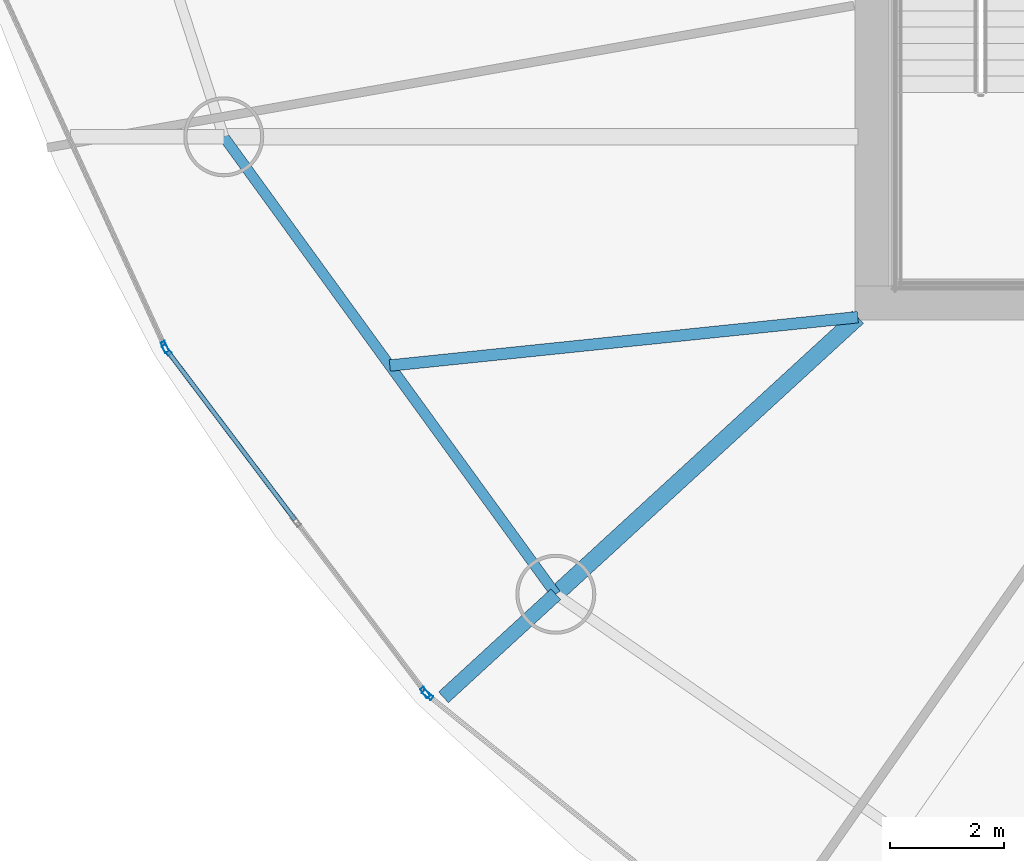
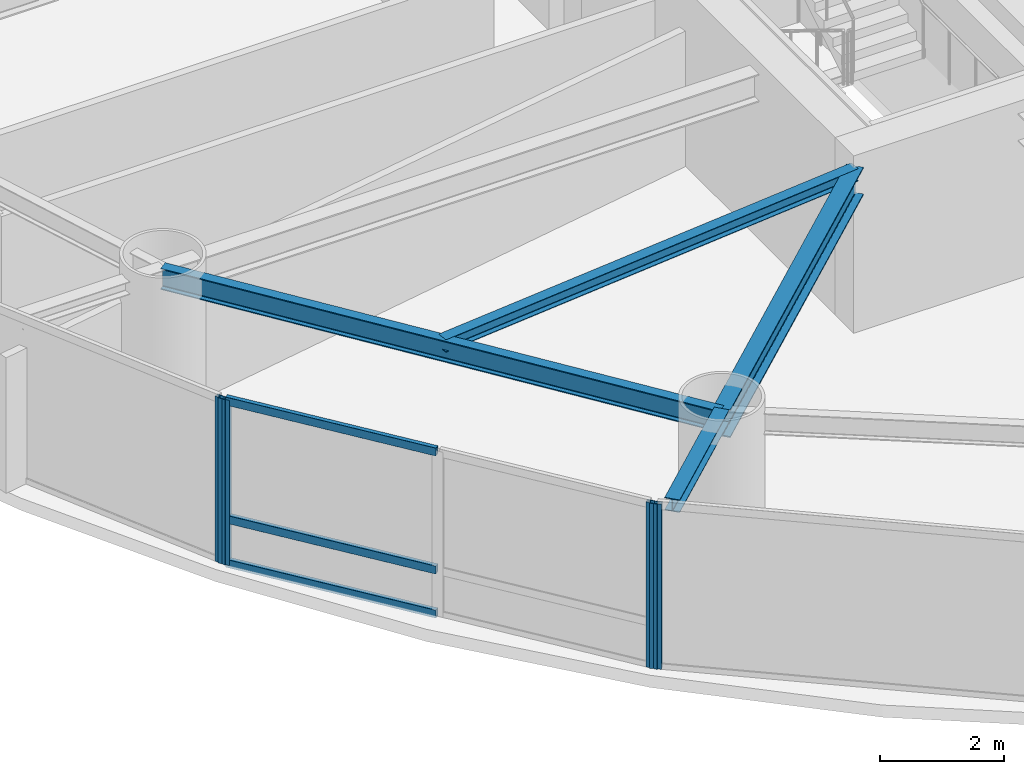
# One storey, part 3 of 20: 7 members, 4 beams, 3 elements without a shape of their own.
"""IFC4 building model written with IfcOpenShell, lengths in metres."""

from ifc_helpers import new_model, si_unit, direction, frame, origin, origin_2d, place, context, subcontext, project, spatial, hollow_rectangle, i_section, extrude, material, layer, layer_set, material_profile, profile_set, type_object, element, aggregate, save


model = new_model("IFC4")

# Units and contexts
model_context = context("Model", 3, precision=1e-05, world=origin(), true_north=direction((0.0, 1.0)))
body_context = subcontext(model_context, "Body", "Model", "MODEL_VIEW")
ifc_project = project(units=[si_unit("LENGTHUNIT", "METRE"), si_unit("AREAUNIT", "SQUARE_METRE"), si_unit("VOLUMEUNIT", "CUBIC_METRE"), si_unit("PLANEANGLEUNIT", "RADIAN"), si_unit("MASSUNIT", "GRAM", prefix="KILO")], contexts=[model_context])

# Site, building, storey
site_placement = place(None, origin())
site = spatial("IfcSite", under=ifc_project, at=site_placement, CompositionType="ELEMENT")
building_placement = place(site_placement, origin())
building = spatial("IfcBuilding", under=site, at=building_placement, Name="Bramvorn Convention Spire", CompositionType="ELEMENT")
storey_placement = place(building_placement, frame((0.0, 0.0, 155.300048828125)))
storey = spatial("IfcBuildingStorey", under=building, at=storey_placement, Name="L39", CompositionType="ELEMENT", Elevation=155.300048828125)

# Beams
ifc_material_1 = material(Name="Steel CSA G40.21 Grade 350 (350W)", Category="steel")
ifc_material_profile_1 = material_profile(ifc_material_1, i_section(OverallWidth=0.201904296875, OverallDepth=0.2470703125, WebThickness=0.00732421875, FlangeThickness=0.010986328125, FilletRadius=0.011962890625, at=origin_2d()))
ifc_profile_set_1 = profile_set([ifc_material_profile_1], Name="Steel CSA G40.21 Grade 350 (350W) - W250X49")
beam_type_1 = type_object("IfcBeamType", Name="BM-W250X49", PredefinedType="JOIST", material=ifc_profile_set_1)
beam_1_placement = place(storey_placement, frame((26.75, 18.550048828125, 3.136474609375), z_axis=(-0.994705076194, -0.102770673804, 0.0), x_axis=(0.102770673804, -0.994705076194, 0.0)))
element("IfcBeam", 1, at=beam_1_placement, inside=storey, type_object=beam_type_1, Name="L39 composite floor joist 11", PredefinedType="JOIST", context=body_context, shape_type="SweptSolid", body=[
    extrude(i_section(OverallWidth=0.201904296875, OverallDepth=0.2470703125, WebThickness=0.00732421875, FlangeThickness=0.010986328125, FilletRadius=0.011962890625, at=origin_2d()), origin(), (0.0, 0.0, 1.0), 8.23388671875),
])
ifc_material_profile_2 = material_profile(ifc_material_1, i_section(OverallWidth=0.25390625, OverallDepth=0.2529296875, WebThickness=0.008544921875, FlangeThickness=0.01416015625, FilletRadius=0.011962890625, at=origin_2d()))
ifc_profile_set_2 = profile_set([ifc_material_profile_2], Name="Steel CSA G40.21 Grade 350 (350W) - W250X73")
beam_type_2 = type_object("IfcBeamType", Name="BM-W250X73", PredefinedType="BEAM", material=ifc_profile_set_2)
beam_2_placement = place(storey_placement, frame((21.465087890625, 13.700927734375, 3.133544921875), z_axis=(-0.736804419418, -0.676105944011, 0.0), x_axis=(0.676105944011, -0.736804419418, 0.0)))
element("IfcBeam", 2, at=beam_2_placement, inside=storey, type_object=beam_type_2, Name="L39 slab-edge cantilever tip beam MC12", PredefinedType="BEAM", context=body_context, shape_type="SweptSolid", body=[
    extrude(i_section(OverallWidth=0.25390625, OverallDepth=0.2529296875, WebThickness=0.008544921875, FlangeThickness=0.01416015625, FilletRadius=0.011962890625, at=origin_2d()), origin(), (0.0, 0.0, 1.0), 2.666748046875),
])
ifc_material_profile_3 = material_profile(ifc_material_1, i_section(OverallWidth=0.180908203125, OverallDepth=0.4169921875, WebThickness=0.010986328125, FlangeThickness=0.018310546875, FilletRadius=0.01611328125, at=origin_2d()))
ifc_profile_set_3 = profile_set([ifc_material_profile_3], Name="Steel CSA G40.21 Grade 350 (350W) - W410X85")
beam_type_3 = type_object("IfcBeamType", Name="BM-W410X85", PredefinedType="JOIST", material=ifc_profile_set_3)
beam_3_placement = place(storey_placement, frame((15.654296875, 21.706787109375, 3.051513671875), z_axis=(0.587401024629, -0.809296012757, 0.0), x_axis=(0.809296012757, 0.587401024629, 0.0)))
element("IfcBeam", 3, at=beam_3_placement, inside=storey, type_object=beam_type_3, Name="L39 mega-column ring beam 11", PredefinedType="JOIST", context=body_context, shape_type="SweptSolid", body=[
    extrude(i_section(OverallWidth=0.180908203125, OverallDepth=0.4169921875, WebThickness=0.010986328125, FlangeThickness=0.018310546875, FilletRadius=0.01611328125, at=origin_2d()), origin(), (0.0, 0.0, 1.0), 9.892333984375),
])
ifc_material_profile_4 = material_profile(ifc_material_1, i_section(OverallWidth=0.2919921875, OverallDepth=0.551025390625, WebThickness=0.01513671875, FlangeThickness=0.0244140625, FilletRadius=0.01904296875, at=origin_2d()))
ifc_profile_set_4 = profile_set([ifc_material_profile_4], Name="Steel CSA G40.21 Grade 350 (350W) - W530X182")
beam_type_4 = type_object("IfcBeamType", Name="BM-W530X182", PredefinedType="BEAM", material=ifc_profile_set_4)
beam_4_placement = place(storey_placement, frame((26.75, 18.550048828125, 2.984375), z_axis=(-0.736833323746, -0.676074443399, 0.0), x_axis=(0.676074443399, -0.736833323746, 0.0)))
element("IfcBeam", 4, at=beam_4_placement, inside=storey, type_object=beam_type_4, Name="L39 radial floor girder MC12", PredefinedType="BEAM", context=body_context, shape_type="SweptSolid", body=[
    extrude(i_section(OverallWidth=0.2919921875, OverallDepth=0.551025390625, WebThickness=0.01513671875, FlangeThickness=0.0244140625, FilletRadius=0.01904296875, at=origin_2d()), origin(), (0.0, 0.0, 1.0), 7.17236328125),
])

# Curtain wall, member
ifc_material_2 = material(Name="Anodised Bronze Unitised Curtain Wall", Category="aluminium")
ifc_layer = layer(ifc_material_2, 0.179931640625)
ifc_layer_set = layer_set([ifc_layer], Name="Anodised Bronze Unitised Curtain Wall - CW-HTL-FRIT")
curtain_wall_type = type_object("IfcCurtainWallType", Name="CW-HTL-FRIT", PredefinedType="USERDEFINED", material=ifc_layer_set)
curtain_wall_1_placement = place(storey_placement, origin())
curtain_wall_1 = element("IfcCurtainWall", 5, at=curtain_wall_1_placement, inside=storey, type_object=curtain_wall_type, Name="L39 fritted glass curtain wall 16", ObjectType="UNITISED CURTAIN WALL", PredefinedType="USERDEFINED")
ifc_material_3 = material(Name="Anodised Bronze Aluminium 6063-T6", Category="aluminium")
ifc_material_profile_5 = material_profile(ifc_material_3, hollow_rectangle(XDim=0.080078125, YDim=0.199951171875, WallThickness=0.00390625, InnerFilletRadius=0.0009765625, OuterFilletRadius=0.00390625, at=origin_2d()))
ifc_profile_set_5 = profile_set([ifc_material_profile_5], Name="Anodised Bronze Aluminium 6063-T6 - CWM80X200")
member_type_1 = type_object("IfcMemberType", Name="CW-MUL-180", PredefinedType="MULLION", material=ifc_profile_set_5)
member_1_placement = place(storey_placement, frame((14.625, 18.028076171875, 0.0), z_axis=(0.0, 0.0, 1.0), x_axis=(-0.909057247601, -0.416671238009, 0.0)))
member_1 = element("IfcMember", 6, at=member_1_placement, type_object=member_type_1, Name="CW2 mullion 1", PredefinedType="MULLION", context=body_context, shape_type="SweptSolid", body=[
    extrude(hollow_rectangle(XDim=0.080078125, YDim=0.199951171875, WallThickness=0.00390625, InnerFilletRadius=0.0009765625, OuterFilletRadius=0.00390625, at=origin_2d()), origin(), (0.0, 0.0, 1.0), 3.260009765625),
])
aggregate(curtain_wall_1, [member_1])

# Curtain wall, members
curtain_wall_2_placement = place(storey_placement, origin())
curtain_wall_2 = element("IfcCurtainWall", 7, at=curtain_wall_2_placement, inside=storey, type_object=curtain_wall_type, Name="L39 fritted glass curtain wall 17", ObjectType="UNITISED CURTAIN WALL", PredefinedType="USERDEFINED")
member_2_placement = place(storey_placement, frame((19.179931640625, 11.983642578125, 0.0), z_axis=(0.0, 0.0, 1.0), x_axis=(-0.798109436583, -0.6025125121, 0.0)))
member_2 = element("IfcMember", 8, at=member_2_placement, type_object=member_type_1, Name="CW2 mullion 1", PredefinedType="MULLION", context=body_context, shape_type="SweptSolid", body=[
    extrude(hollow_rectangle(XDim=0.080078125, YDim=0.199951171875, WallThickness=0.00390625, InnerFilletRadius=0.0009765625, OuterFilletRadius=0.00390625, at=origin_2d()), origin(), (0.0, 0.0, 1.0), 3.260009765625),
])
member_3_placement = place(storey_placement, frame((14.655517578125, 17.976806640625, 0.0), z_axis=(0.0, 0.0, 1.0), x_axis=(-0.798109436583, -0.6025125121, 0.0)))
member_3 = element("IfcMember", 9, at=member_3_placement, type_object=member_type_1, Name="CW2 mullion 3", PredefinedType="MULLION", context=body_context, shape_type="SweptSolid", body=[
    extrude(hollow_rectangle(XDim=0.080078125, YDim=0.199951171875, WallThickness=0.00390625, InnerFilletRadius=0.0009765625, OuterFilletRadius=0.00390625, at=origin_2d()), origin(), (0.0, 0.0, 1.0), 3.260009765625),
])

# Curtain wall, member
curtain_wall_3_placement = place(storey_placement, origin())
curtain_wall_3 = element("IfcCurtainWall", 10, at=curtain_wall_3_placement, inside=storey, type_object=curtain_wall_type, Name="L39 fritted glass curtain wall 18", ObjectType="UNITISED CURTAIN WALL", PredefinedType="USERDEFINED")
member_4_placement = place(storey_placement, frame((19.221435546875, 11.94091796875, 0.0), z_axis=(0.0, 0.0, 1.0), x_axis=(-0.627254786317, -0.778814119699, 0.0)))
member_4 = element("IfcMember", 11, at=member_4_placement, type_object=member_type_1, Name="CW2 mullion 2", PredefinedType="MULLION", context=body_context, shape_type="SweptSolid", body=[
    extrude(hollow_rectangle(XDim=0.080078125, YDim=0.199951171875, WallThickness=0.00390625, InnerFilletRadius=0.0009765625, OuterFilletRadius=0.00390625, at=origin_2d()), origin(), (0.0, 0.0, 1.0), 3.260009765625),
])
aggregate(curtain_wall_3, [member_4])

# Member
ifc_material_profile_6 = material_profile(ifc_material_3, hollow_rectangle(XDim=0.080078125, YDim=0.159912109375, WallThickness=0.00390625, InnerFilletRadius=0.0009765625, OuterFilletRadius=0.00390625, at=origin_2d()))
ifc_profile_set_6 = profile_set([ifc_material_profile_6], Name="Anodised Bronze Aluminium 6063-T6 - CWT80X160")
member_type_2 = type_object("IfcMemberType", Name="CW-TRN-150", PredefinedType="USERDEFINED", material=ifc_profile_set_6)
member_5_placement = place(storey_placement, frame((16.899658203125, 15.004150390625, 0.030029296875), z_axis=(-0.602513341238, 0.798108810646, 0.0), x_axis=(-0.798108810646, -0.602513341238, 0.0)))
member_5 = element("IfcMember", 12, at=member_5_placement, type_object=member_type_2, Name="CW2 transom 2.1", ObjectType="TRANSOM", PredefinedType="USERDEFINED", context=body_context, shape_type="SweptSolid", body=[
    extrude(hollow_rectangle(XDim=0.080078125, YDim=0.159912109375, WallThickness=0.00390625, InnerFilletRadius=0.0009765625, OuterFilletRadius=0.00390625, at=origin_2d()), origin(), (0.0, 0.0, 1.0), 3.694580078125),
])

member_6_placement = place(storey_placement, frame((16.899658203125, 15.004150390625, 0.89990234375), z_axis=(-0.602513341238, 0.798108810646, 0.0), x_axis=(-0.798108810646, -0.602513341238, 0.0)))
member_6 = element("IfcMember", 13, at=member_6_placement, type_object=member_type_2, Name="CW2 transom 2.2", ObjectType="TRANSOM", PredefinedType="USERDEFINED", context=body_context, shape_type="SweptSolid", body=[
    extrude(hollow_rectangle(XDim=0.080078125, YDim=0.159912109375, WallThickness=0.00390625, InnerFilletRadius=0.0009765625, OuterFilletRadius=0.00390625, at=origin_2d()), origin(), (0.0, 0.0, 1.0), 3.694580078125),
])

member_7_placement = place(storey_placement, frame((16.899658203125, 15.004150390625, 3.22998046875), z_axis=(-0.602513341238, 0.798108810646, 0.0), x_axis=(-0.798108810646, -0.602513341238, 0.0)))
member_7 = element("IfcMember", 14, at=member_7_placement, type_object=member_type_2, Name="CW2 transom 2.3", ObjectType="TRANSOM", PredefinedType="USERDEFINED", context=body_context, shape_type="SweptSolid", body=[
    extrude(hollow_rectangle(XDim=0.080078125, YDim=0.159912109375, WallThickness=0.00390625, InnerFilletRadius=0.0009765625, OuterFilletRadius=0.00390625, at=origin_2d()), origin(), (0.0, 0.0, 1.0), 3.694580078125),
])

aggregate(curtain_wall_2, [member_2, member_3, member_5, member_6, member_7])

save(model, "model.ifc")
